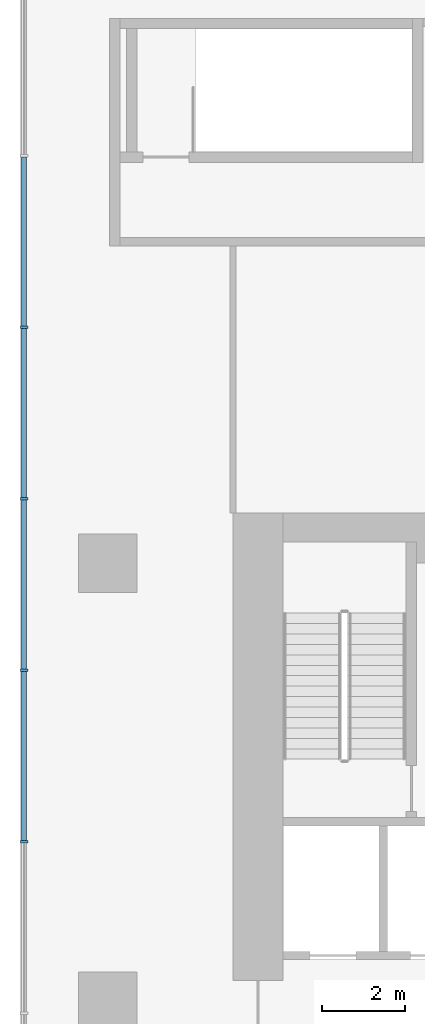
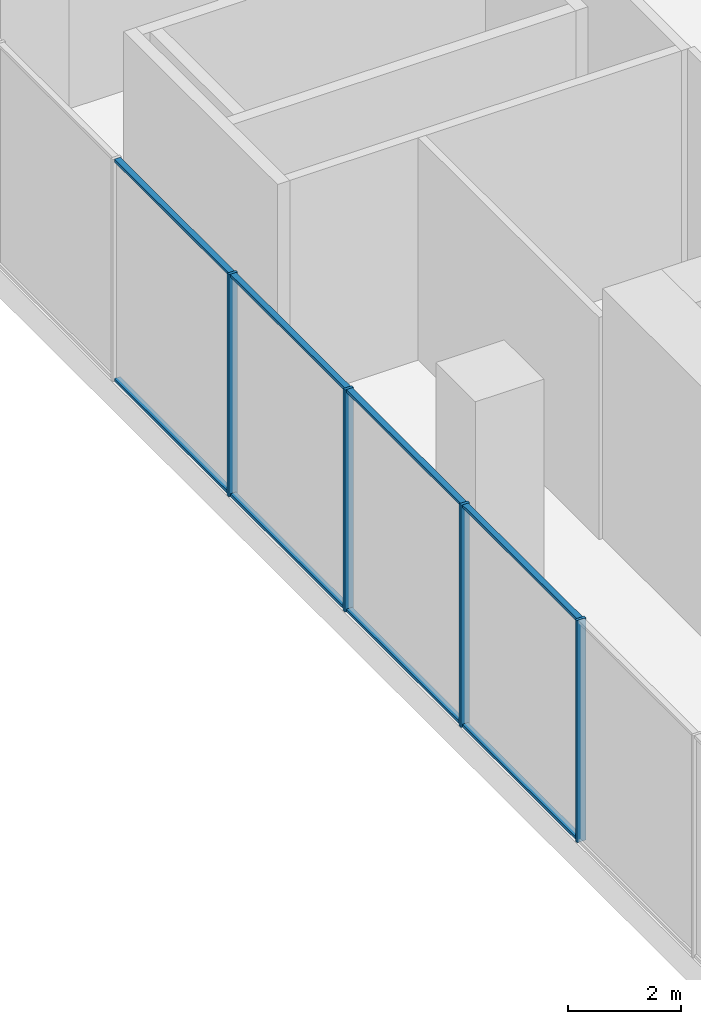
# One storey, part 4 of 21: 12 members, 1 element without a shape of its own.
"""IFC4 building model written with IfcOpenShell, lengths in metres."""

from ifc_helpers import new_model, si_unit, direction, frame, origin, origin_2d, place, context, subcontext, project, spatial, rectangle, extrude, source, transform, mapped, material, layer, layer_set, material_profile, profile_set, type_object, element, aggregate, save


model = new_model("IFC4")

# Units and contexts
model_context = context("Model", 3, precision=1e-05, world=origin(), true_north=direction((0.0, 1.0)))
body_context = subcontext(model_context, "Body", "Model", "MODEL_VIEW")
ifc_project = project(units=[si_unit("LENGTHUNIT", "METRE"), si_unit("AREAUNIT", "SQUARE_METRE"), si_unit("VOLUMEUNIT", "CUBIC_METRE"), si_unit("PLANEANGLEUNIT", "RADIAN"), si_unit("MASSUNIT", "GRAM", prefix="KILO")], contexts=[model_context])

# Site, building, storey
site_placement = place(None, origin())
site = spatial("IfcSite", under=ifc_project, at=site_placement, CompositionType="ELEMENT")
building_placement = place(site_placement, origin())
building = spatial("IfcBuilding", under=site, at=building_placement, Name="Aurelian Terraces", CompositionType="ELEMENT")
storey_placement = place(building_placement, frame((0.0, 0.0, 29.1)))
storey = spatial("IfcBuildingStorey", under=building, at=storey_placement, Name="L05", CompositionType="ELEMENT", Elevation=29.1)

# Curtain wall, members
ifc_material_1 = material(Name="Anodised aluminium and clear glazing", Category="aluminium")
ifc_layer = layer(ifc_material_1, 0.2)
ifc_layer_set = layer_set([ifc_layer], Name="Winter garden glazing curtain wall")
curtain_wall_type = type_object("IfcCurtainWallType", Name="Winter garden glazing curtain wall", PredefinedType="NOTDEFINED", material=ifc_layer_set)
curtain_wall_placement = place(storey_placement, origin())
curtain_wall = element("IfcCurtainWall", 1, at=curtain_wall_placement, inside=storey, type_object=curtain_wall_type, Name="Winter garden glazing L05 F06.1", PredefinedType="NOTDEFINED")
ifc_material_2 = material(Name="Anodised aluminium", Category="aluminium")
ifc_material_profile_1 = material_profile(ifc_material_2, rectangle(XDim=0.18, YDim=0.06, at=origin_2d()))
ifc_profile_set_1 = profile_set([ifc_material_profile_1], Name="Anodised aluminium")
member_type_1 = type_object("IfcMemberType", Name="Winter garden glazing mullion", PredefinedType="MULLION", material=ifc_profile_set_1)
shared_shape_1 = source(origin(), body_context, "Body", "SweptSolid", [
    extrude(rectangle(XDim=0.18, YDim=0.06, at=origin_2d()), origin(), (0.0, 0.0, 1.0), 4.8),
])
member_1_placement = place(storey_placement, frame((-2.0, 26.6467, 0.0), z_axis=(0.0, 0.0, 1.0), x_axis=(1.0, 0.0, 0.0)))
member_1 = element("IfcMember", 2, at=member_1_placement, type_object=member_type_1, Name="CW6 mullion 12", PredefinedType="MULLION", context=body_context, shape_type="MappedRepresentation", body=[
    mapped(shared_shape_1, transform((0.0, 0.0, 0.0), scale=1.0)),
])
member_2_placement = place(storey_placement, frame((-2.0, 22.54, 0.0), z_axis=(0.0, 0.0, 1.0), x_axis=(1.0, 0.0, 0.0)))
member_2 = element("IfcMember", 3, at=member_2_placement, type_object=member_type_1, Name="CW6 mullion 13", PredefinedType="MULLION", context=body_context, shape_type="MappedRepresentation", body=[
    mapped(shared_shape_1, transform((0.0, 0.0, 0.0), scale=1.0)),
])
member_3_placement = place(storey_placement, frame((-2.0, 18.4333, 0.0), z_axis=(0.0, 0.0, 1.0), x_axis=(1.0, 0.0, 0.0)))
member_3 = element("IfcMember", 4, at=member_3_placement, type_object=member_type_1, Name="CW6 mullion 14", PredefinedType="MULLION", context=body_context, shape_type="MappedRepresentation", body=[
    mapped(shared_shape_1, transform((0.0, 0.0, 0.0), scale=1.0)),
])
member_4_placement = place(storey_placement, frame((-2.0, 14.3267, 0.0), z_axis=(0.0, 0.0, 1.0), x_axis=(1.0, 0.0, 0.0)))
member_4 = element("IfcMember", 5, at=member_4_placement, type_object=member_type_1, Name="CW6 mullion 15", PredefinedType="MULLION", context=body_context, shape_type="MappedRepresentation", body=[
    mapped(shared_shape_1, transform((0.0, 0.0, 0.0), scale=1.0)),
])
ifc_material_profile_2 = material_profile(ifc_material_2, rectangle(XDim=0.12, YDim=0.06, at=origin_2d()))
ifc_profile_set_2 = profile_set([ifc_material_profile_2], Name="Anodised aluminium")
member_type_2 = type_object("IfcMemberType", Name="Winter garden glazing transom", PredefinedType="USERDEFINED", material=ifc_profile_set_2)
shared_shape_2 = source(origin(), body_context, "Body", "SweptSolid", [
    extrude(rectangle(XDim=0.12, YDim=0.06, at=origin_2d()), origin(), (0.0, 0.0, 1.0), 4.0466),
])
member_5_placement = place(storey_placement, frame((-2.0, 30.7233, 0.03), z_axis=(0.0, -1.0, 0.0), x_axis=(1.0, 0.0, 0.0)))
member_5 = element("IfcMember", 6, at=member_5_placement, type_object=member_type_2, Name="CW6 transom 11.1", ObjectType="TRANSOM", PredefinedType="USERDEFINED", context=body_context, shape_type="MappedRepresentation", body=[
    mapped(shared_shape_2, transform((0.0, 0.0, 0.0), scale=1.0)),
])
member_6_placement = place(storey_placement, frame((-2.0, 30.7233, 4.77), z_axis=(0.0, -1.0, 0.0), x_axis=(1.0, 0.0, 0.0)))
member_6 = element("IfcMember", 7, at=member_6_placement, type_object=member_type_2, Name="CW6 transom 11.2", ObjectType="TRANSOM", PredefinedType="USERDEFINED", context=body_context, shape_type="MappedRepresentation", body=[
    mapped(shared_shape_2, transform((0.0, 0.0, 0.0), scale=1.0)),
])
member_7_placement = place(storey_placement, frame((-2.0, 18.4033, 0.03), z_axis=(0.0, -1.0, 0.0), x_axis=(1.0, 0.0, 0.0)))
member_7 = element("IfcMember", 8, at=member_7_placement, type_object=member_type_2, Name="CW6 transom 14.1", ObjectType="TRANSOM", PredefinedType="USERDEFINED", context=body_context, shape_type="MappedRepresentation", body=[
    mapped(shared_shape_2, transform((0.0, 0.0, 0.0), scale=1.0)),
])
member_8_placement = place(storey_placement, frame((-2.0, 18.4033, 4.77), z_axis=(0.0, -1.0, 0.0), x_axis=(1.0, 0.0, 0.0)))
member_8 = element("IfcMember", 9, at=member_8_placement, type_object=member_type_2, Name="CW6 transom 14.2", ObjectType="TRANSOM", PredefinedType="USERDEFINED", context=body_context, shape_type="MappedRepresentation", body=[
    mapped(shared_shape_2, transform((0.0, 0.0, 0.0), scale=1.0)),
])
shared_shape_3 = source(origin(), body_context, "Body", "SweptSolid", [
    extrude(rectangle(XDim=0.12, YDim=0.06, at=origin_2d()), origin(), (0.0, 0.0, 1.0), 4.0467),
])
member_9_placement = place(storey_placement, frame((-2.0, 26.6167, 0.03), z_axis=(0.0, -1.0, 0.0), x_axis=(1.0, 0.0, 0.0)))
member_9 = element("IfcMember", 10, at=member_9_placement, type_object=member_type_2, Name="CW6 transom 12.1", ObjectType="TRANSOM", PredefinedType="USERDEFINED", context=body_context, shape_type="MappedRepresentation", body=[
    mapped(shared_shape_3, transform((0.0, 0.0, 0.0), scale=1.0)),
])
member_10_placement = place(storey_placement, frame((-2.0, 26.6167, 4.77), z_axis=(0.0, -1.0, 0.0), x_axis=(1.0, 0.0, 0.0)))
member_10 = element("IfcMember", 11, at=member_10_placement, type_object=member_type_2, Name="CW6 transom 12.2", ObjectType="TRANSOM", PredefinedType="USERDEFINED", context=body_context, shape_type="MappedRepresentation", body=[
    mapped(shared_shape_3, transform((0.0, 0.0, 0.0), scale=1.0)),
])
member_11_placement = place(storey_placement, frame((-2.0, 22.51, 0.03), z_axis=(0.0, -1.0, 0.0), x_axis=(1.0, 0.0, 0.0)))
member_11 = element("IfcMember", 12, at=member_11_placement, type_object=member_type_2, Name="CW6 transom 13.1", ObjectType="TRANSOM", PredefinedType="USERDEFINED", context=body_context, shape_type="MappedRepresentation", body=[
    mapped(shared_shape_3, transform((0.0, 0.0, 0.0), scale=1.0)),
])
member_12_placement = place(storey_placement, frame((-2.0, 22.51, 4.77), z_axis=(0.0, -1.0, 0.0), x_axis=(1.0, 0.0, 0.0)))
member_12 = element("IfcMember", 13, at=member_12_placement, type_object=member_type_2, Name="CW6 transom 13.2", ObjectType="TRANSOM", PredefinedType="USERDEFINED", context=body_context, shape_type="MappedRepresentation", body=[
    mapped(shared_shape_3, transform((0.0, 0.0, 0.0), scale=1.0)),
])
aggregate(curtain_wall, [member_1, member_2, member_3, member_4, member_5, member_6, member_9, member_10, member_11, member_12, member_7, member_8])

save(model, "model.ifc")
